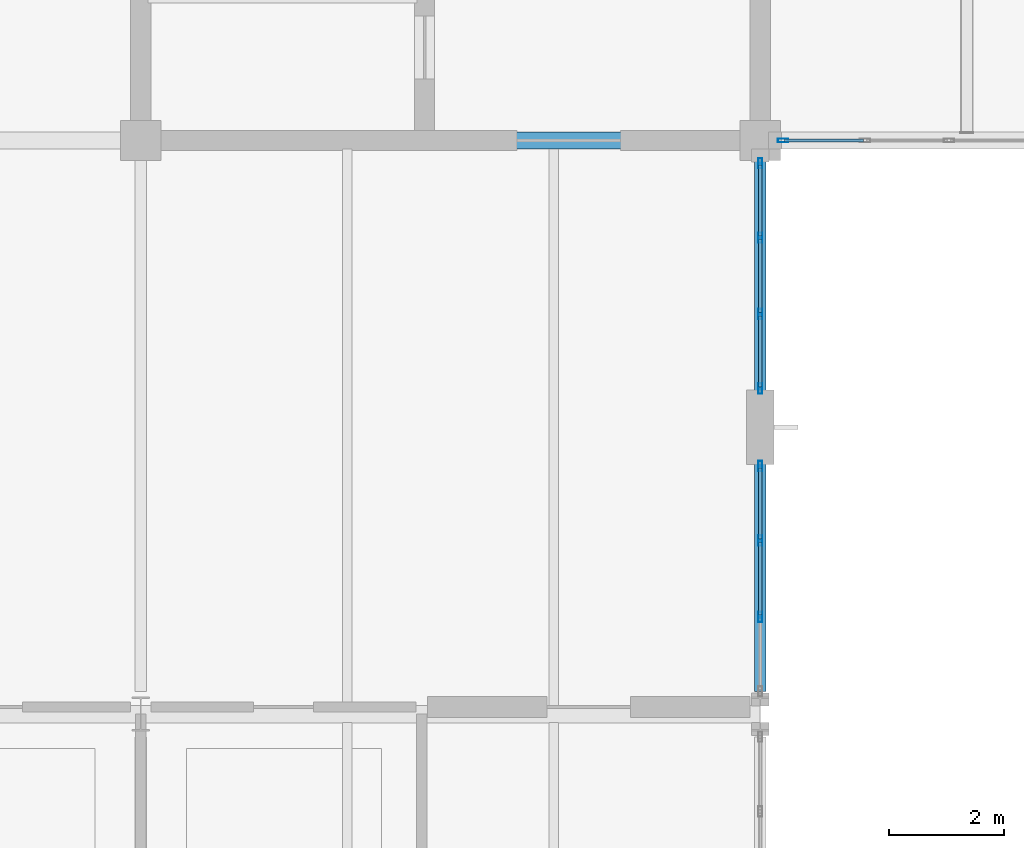
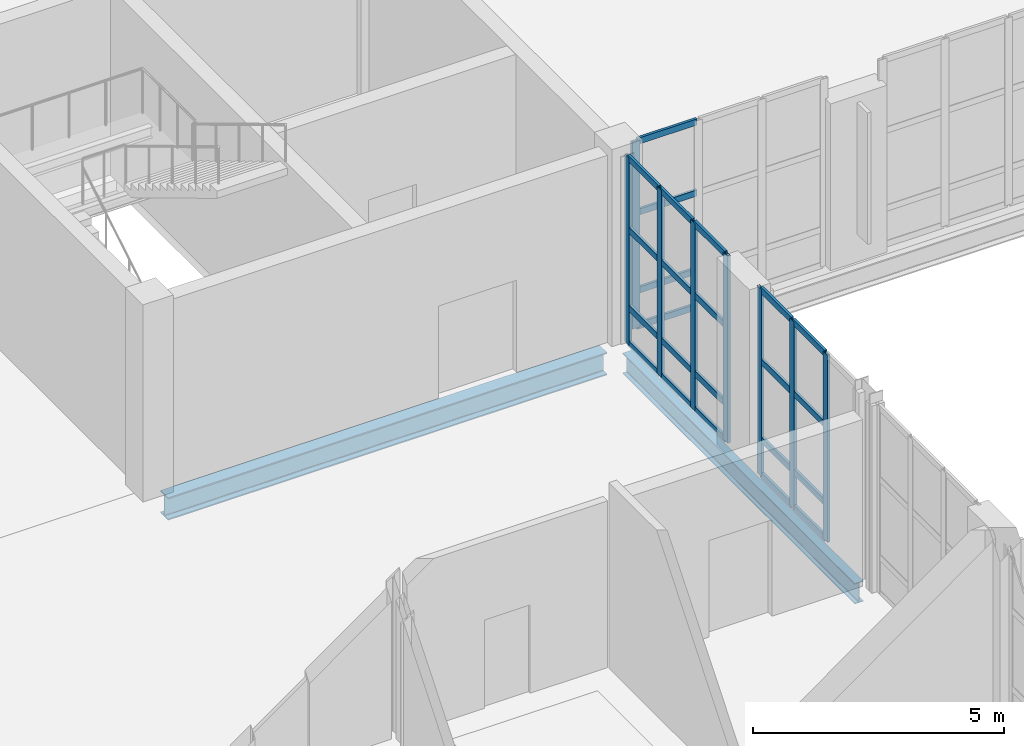
# One storey, part 24 of 92: 32 members, 2 beams, 3 elements without a shape of their own.
"""IFC4 building model written with IfcOpenShell, lengths in metres."""

import ifcopenshell
import ifcopenshell.guid

model = None  # the IFC model being written
_history = None  # IfcOwnerHistory: only IFC2X3 demands one
_inside = {}  # id of a spatial element -> (the spatial element, [elements in it])
_under = {}  # id of a project, library or spatial element -> (it, [spatial elements below it])
_declared = {}  # id of a project -> (the project, [libraries it declares])
_typed = {}  # id of a type object -> (the type object, [elements of that type])
_made_of = {}  # id of a material, layer set ... -> (it, [elements and type objects made of it])


def new_model(schema):
    """Start an empty IFC model of exactly this schema.

    Asked for "IFC4X3", IfcOpenShell would pick the latest addendum, in which some entities
    have other attributes; the version numbers below select the first issue.
    IFC2X3 requires an IfcOwnerHistory on every rooted entity: one is made here for all.
    """
    global model, _history
    if schema == "IFC4X3":
        model = ifcopenshell.file(schema_version=(4, 3, 0, 0))
    else:
        model = ifcopenshell.file(schema=schema)
    _inside.clear()
    _under.clear()
    _declared.clear()
    _typed.clear()
    _made_of.clear()
    _history = None
    if model.schema == "IFC2X3":
        org = make("IfcOrganization", Name="unknown")
        user = make(
            "IfcPersonAndOrganization",
            ThePerson=make("IfcPerson", FamilyName="unknown"),
            TheOrganization=org,
        )
        app = make(
            "IfcApplication",
            ApplicationDeveloper=org,
            Version="unknown",
            ApplicationFullName="unknown",
            ApplicationIdentifier="unknown",
        )
        _history = make(
            "IfcOwnerHistory",
            OwningUser=user,
            OwningApplication=app,
            ChangeAction="ADDED",
            CreationDate=0,
        )
    return model


def make(cls, **values):
    """One entity of the class cls with the attributes given. An attribute that is None is left unset."""
    return model.create_entity(
        cls, **{name: value for name, value in values.items() if value is not None}
    )


def rooted(cls, **values):
    """An entity with a GlobalId (a new one), such as an element, a storey or a relation."""
    return make(cls, GlobalId=ifcopenshell.guid.new(), OwnerHistory=_history, **values)


def si_unit(unit_type, name, prefix=None):
    """IfcSIUnit, for example si_unit("LENGTHUNIT", "METRE", prefix="MILLI")."""
    return make("IfcSIUnit", UnitType=unit_type, Prefix=prefix, Name=name)


def assignment(units):
    """IfcUnitAssignment: the units of a project."""
    return None if units is None else make("IfcUnitAssignment", Units=units)


def point(xyz):
    """IfcCartesianPoint."""
    return None if xyz is None else make("IfcCartesianPoint", Coordinates=xyz)


def direction(xyz):
    """IfcDirection."""
    return None if xyz is None else make("IfcDirection", DirectionRatios=xyz)


def frame(location, z_axis=None, x_axis=None):
    """IfcAxis2Placement3D, a coordinate frame: its origin and axes. An axis left out is left unset."""
    return make(
        "IfcAxis2Placement3D",
        Location=point(location),
        Axis=direction(z_axis),
        RefDirection=direction(x_axis),
    )


def frame_2d(location, x_axis=None):
    """IfcAxis2Placement2D, a coordinate frame in the plane: its origin and x axis."""
    return make(
        "IfcAxis2Placement2D", Location=point(location), RefDirection=direction(x_axis)
    )


def origin():
    """The frame at (0, 0, 0) with its axes left unset."""
    return frame((0.0, 0.0, 0.0))


def origin_2d():
    """The frame at (0, 0) in the plane with its x axis left unset."""
    return frame_2d((0.0, 0.0))


def place(relative_to, where):
    """IfcLocalPlacement: puts the frame where relative to a parent placement (None: the world)."""
    return make(
        "IfcLocalPlacement", PlacementRelTo=relative_to, RelativePlacement=where
    )


def context(
    kind, dimensions, precision=None, world=None, true_north=None, identifier=None
):
    """IfcGeometricRepresentationContext, for example the 3D "Model" context."""
    return make(
        "IfcGeometricRepresentationContext",
        ContextIdentifier=identifier,
        ContextType=kind,
        CoordinateSpaceDimension=dimensions,
        Precision=precision,
        WorldCoordinateSystem=world,
        TrueNorth=true_north,
    )


def subcontext(parent, identifier, kind, view, scale=None):
    """IfcGeometricRepresentationSubContext, for example "Body" below "Model"."""
    return make(
        "IfcGeometricRepresentationSubContext",
        ContextIdentifier=identifier,
        ContextType=kind,
        ParentContext=parent,
        TargetScale=scale,
        TargetView=view,
    )


def project(units=None, contexts=None):
    """IfcProject with its units and contexts."""
    return rooted(
        "IfcProject",
        Name="project",
        RepresentationContexts=contexts,
        UnitsInContext=assignment(units),
    )


def spatial(cls, under=None, at=None, **own):
    """A site, building, storey or space (cls), placed at a placement, below another one or the project."""
    s = rooted(cls, ObjectPlacement=at, **own)
    if under is not None:
        _under.setdefault(under.id(), (under, []))[1].append(s)
    return s


def profile(cls, at=None, kind="AREA", **sizes):
    """A parametric profile (cls). Its sizes go by their IFC names, for example OverallWidth=200.0."""
    return make(cls, ProfileType=kind, Position=at, **sizes)


def hollow_rectangle(**sizes):
    """IfcRectangleHollowProfileDef."""
    return profile("IfcRectangleHollowProfileDef", **sizes)


def i_section(**sizes):
    """IfcIShapeProfileDef."""
    return profile("IfcIShapeProfileDef", **sizes)


def extrude(swept, where, along, depth):
    """IfcExtrudedAreaSolid: the profile swept, set in the frame where, extruded along a direction by depth."""
    return make(
        "IfcExtrudedAreaSolid",
        SweptArea=swept,
        Position=where,
        ExtrudedDirection=direction(along),
        Depth=depth,
    )


def shape(context_of_items, identifier, shape_type, items):
    """IfcShapeRepresentation: the items that make up one representation, for example the "Body"."""
    return make(
        "IfcShapeRepresentation",
        ContextOfItems=context_of_items,
        RepresentationIdentifier=identifier,
        RepresentationType=shape_type,
        Items=items,
    )


def material(Name=None, Category=None):
    """IfcMaterial."""
    return make("IfcMaterial", Name=Name, Category=Category)


def layer(
    of_material, thickness, ventilated=None, Name=None, Category=None, Priority=None
):
    """IfcMaterialLayer: one layer of a wall or slab, of a material (None: an air gap)."""
    return make(
        "IfcMaterialLayer",
        Material=of_material,
        LayerThickness=thickness,
        IsVentilated=ventilated,
        Name=Name,
        Category=Category,
        Priority=Priority,
    )


def layer_set(layers, Name=None):
    """IfcMaterialLayerSet."""
    return make("IfcMaterialLayerSet", MaterialLayers=layers, LayerSetName=Name)


def material_profile(
    of_material, cross_section, Name=None, Category=None, Priority=None
):
    """IfcMaterialProfile: a cross section and its material."""
    return make(
        "IfcMaterialProfile",
        Name=Name,
        Material=of_material,
        Profile=cross_section,
        Priority=Priority,
        Category=Category,
    )


def profile_set(profiles, Name=None, composite=None):
    """IfcMaterialProfileSet."""
    return make(
        "IfcMaterialProfileSet",
        Name=Name,
        MaterialProfiles=profiles,
        CompositeProfile=composite,
    )


def made_of(thing, what):
    """Note that an element or type object is made of a material, layer set ...; save() writes the relation."""
    if what is not None:
        _made_of.setdefault(what.id(), (what, []))[1].append(thing)
    return thing


def type_object(cls, material=None, **own):
    """A type object (cls), such as IfcWallType, which elements share."""
    return made_of(rooted(cls, **own), material)


def element(
    cls,
    number,
    at=None,
    inside=None,
    cuts=None,
    type_object=None,
    material=None,
    context=None,
    identifier="Body",
    shape_type=None,
    held_by="IfcProductDefinitionShape",
    body=None,
    shapes=None,
    **own,
):
    """One element of the class cls, such as IfcWall. Its Tag is "e" and its number.

    at: its placement. inside: the storey or other place that contains it. cuts: it is an
    opening in that element (IfcRelVoidsElement). A single representation is given by context,
    identifier, shape_type and body (its items); several are given by shapes. held_by: the class
    of the entity that holds the representations. save() writes the other relations.
    """
    e = rooted(cls, Tag="e%d" % number, ObjectPlacement=at, **own)
    if body is not None:
        shapes = [shape(context, identifier, shape_type, body)]
    if shapes is not None:
        e.Representation = make(held_by, Representations=shapes)
    if inside is not None:
        _inside.setdefault(inside.id(), (inside, []))[1].append(e)
    if cuts is not None:
        rooted(
            "IfcRelVoidsElement", RelatingBuildingElement=cuts, RelatedOpeningElement=e
        )
    if type_object is not None:
        _typed.setdefault(type_object.id(), (type_object, []))[1].append(e)
    return made_of(e, material)


def aggregate(whole, parts):
    """IfcRelAggregates: a whole, such as a stair, and the parts it consists of."""
    return rooted("IfcRelAggregates", RelatingObject=whole, RelatedObjects=parts)


def save(model, path):
    """Write the relations noted so far, then the file.

    IfcRelAggregates (storeys below a building ...), IfcRelContainedInSpatialStructure (elements
    in a storey), IfcRelDefinesByType, IfcRelAssociatesMaterial and IfcRelDeclares: one each for
    every whole, place, type object, material and project.
    """
    for whole, parts in _under.values():
        aggregate(whole, parts)
    for where, things in _inside.values():
        rooted(
            "IfcRelContainedInSpatialStructure",
            RelatedElements=things,
            RelatingStructure=where,
        )
    for kind, things in _typed.values():
        rooted("IfcRelDefinesByType", RelatedObjects=things, RelatingType=kind)
    for what, things in _made_of.values():
        rooted("IfcRelAssociatesMaterial", RelatedObjects=things, RelatingMaterial=what)
    for by, libraries in _declared.values():
        rooted("IfcRelDeclares", RelatingContext=by, RelatedDefinitions=libraries)
    model.write(path)


model = new_model("IFC4")

# Units and contexts
model_context = context("Model", 3, precision=1e-05, world=origin(), true_north=direction((0.0, 1.0)))
body_context = subcontext(model_context, "Body", "Model", "MODEL_VIEW")
ifc_project = project(units=[si_unit("LENGTHUNIT", "METRE"), si_unit("AREAUNIT", "SQUARE_METRE"), si_unit("VOLUMEUNIT", "CUBIC_METRE"), si_unit("PLANEANGLEUNIT", "RADIAN"), si_unit("MASSUNIT", "GRAM", prefix="KILO")], contexts=[model_context])

# Site, building, storey
site_placement = place(None, origin())
site = spatial("IfcSite", under=ifc_project, at=site_placement, CompositionType="ELEMENT")
building_placement = place(site_placement, origin())
building = spatial("IfcBuilding", under=site, at=building_placement, Name="Tasgan Crest Museum", CompositionType="ELEMENT")
storey_placement = place(building_placement, frame((0.0, 0.0, 4.800048828125)))
storey = spatial("IfcBuildingStorey", under=building, at=storey_placement, Name="L01", CompositionType="ELEMENT", Elevation=4.800048828125)

# Beams
ifc_material_1 = material(Name="Steel S355K2", Category="steel")
ifc_material_profile_1 = material_profile(ifc_material_1, i_section(OverallWidth=0.300048828125, OverallDepth=0.550048828125, WebThickness=0.014892578125, FlangeThickness=0.029052734375, FilletRadius=0.027099609375, at=origin_2d()), Name="HEB 550")
ifc_profile_set_1 = profile_set([ifc_material_profile_1], Name="Steel S355K2")
beam_type_1 = type_object("IfcBeamType", Name="BM-G-HEB550", PredefinedType="BEAM", material=ifc_profile_set_1)
beam_1_placement = place(storey_placement, frame((43.5458984375, 40.0, -0.53515625), z_axis=(1.0, 0.0, 0.0), x_axis=(0.0, 1.0, 0.0)))
element("IfcBeam", 1, at=beam_1_placement, inside=storey, type_object=beam_type_1, Name="Girder L01 E 43.2-54.0", PredefinedType="BEAM", context=body_context, shape_type="SweptSolid", body=[
    extrude(i_section(OverallWidth=0.300048828125, OverallDepth=0.550048828125, WebThickness=0.014892578125, FlangeThickness=0.029052734375, FilletRadius=0.027099609375, at=origin_2d()), origin(), (0.0, 0.0, 1.0), 10.108154296875),
])
ifc_material_2 = material(Name="Steel S355J2", Category="steel")
ifc_material_profile_2 = material_profile(ifc_material_2, i_section(OverallWidth=0.199951171875, OverallDepth=0.5, WebThickness=0.01025390625, FlangeThickness=0.01611328125, FilletRadius=0.02099609375, at=origin_2d()), Name="IPE 500")
ifc_profile_set_2 = profile_set([ifc_material_profile_2], Name="Steel S355J2")
beam_type_2 = type_object("IfcBeamType", Name="BM-G-IPE500", PredefinedType="BEAM", material=ifc_profile_set_2)
beam_2_placement = place(storey_placement, frame((54.0, 30.39501953125, -0.489990234375), z_axis=(0.0, 1.0, 0.0), x_axis=(-1.0, 0.0, 0.0)))
element("IfcBeam", 2, at=beam_2_placement, inside=storey, type_object=beam_type_2, Name="Beam L01 6 30.0-40.0", PredefinedType="BEAM", context=body_context, shape_type="SweptSolid", body=[
    extrude(i_section(OverallWidth=0.199951171875, OverallDepth=0.5, WebThickness=0.01025390625, FlangeThickness=0.01611328125, FilletRadius=0.02099609375, at=origin_2d()), origin(), (0.0, 0.0, 1.0), 9.260009765625),
])

# Curtain wall, members
ifc_material_3 = material(Name="Triple-Glazed Aluminium Curtain Wall", Category="aluminium")
ifc_layer_1 = layer(ifc_material_3, 0.179931640625, Name="CW-PORCH-Y")
ifc_layer_set_1 = layer_set([ifc_layer_1], Name="Triple-Glazed Aluminium Curtain Wall")
curtain_wall_type_1 = type_object("IfcCurtainWallType", Name="CW-PORCH-Y", PredefinedType="NOTDEFINED", material=ifc_layer_set_1)
curtain_wall_1_placement = place(storey_placement, origin())
curtain_wall_1 = element("IfcCurtainWall", 3, at=curtain_wall_1_placement, inside=storey, type_object=curtain_wall_type_1, Name="Curtain wall L01 025", PredefinedType="NOTDEFINED")
ifc_material_4 = material(Name="Anodised Aluminium", Category="aluminium")
ifc_material_profile_3 = material_profile(ifc_material_4, hollow_rectangle(XDim=0.06494140625, YDim=0.179931640625, WallThickness=0.0048828125, at=origin_2d()), Name="ALU MULLION 180x65x5")
ifc_profile_set_3 = profile_set([ifc_material_profile_3], Name="Anodised Aluminium")
member_type_1 = type_object("IfcMemberType", Name="CW-MULLION-180", PredefinedType="MULLION", material=ifc_profile_set_3)
member_1_placement = place(storey_placement, frame((54.0, 31.695068359375, 0.0), z_axis=(0.0, 0.0, 1.0), x_axis=(-1.0, 0.0, 0.0)))
member_1 = element("IfcMember", 4, at=member_1_placement, type_object=member_type_1, Name="CW02 mullion 2", PredefinedType="MULLION", context=body_context, shape_type="SweptSolid", body=[
    extrude(hollow_rectangle(XDim=0.06494140625, YDim=0.179931640625, WallThickness=0.0048828125, at=origin_2d()), origin(), (0.0, 0.0, 1.0), 4.56005859375),
])
member_2_placement = place(storey_placement, frame((54.0, 33.02490234375, 0.0), z_axis=(0.0, 0.0, 1.0), x_axis=(-1.0, 0.0, 0.0)))
member_2 = element("IfcMember", 5, at=member_2_placement, type_object=member_type_1, Name="CW02 mullion 3", PredefinedType="MULLION", context=body_context, shape_type="SweptSolid", body=[
    extrude(hollow_rectangle(XDim=0.06494140625, YDim=0.179931640625, WallThickness=0.0048828125, at=origin_2d()), origin(), (0.0, 0.0, 1.0), 4.56005859375),
])
member_3_placement = place(storey_placement, frame((54.0, 34.324951171875, 0.0), z_axis=(0.0, 0.0, 1.0), x_axis=(-1.0, 0.0, 0.0)))
member_3 = element("IfcMember", 6, at=member_3_placement, type_object=member_type_1, Name="CW02 mullion 4", PredefinedType="MULLION", context=body_context, shape_type="SweptSolid", body=[
    extrude(hollow_rectangle(XDim=0.06494140625, YDim=0.179931640625, WallThickness=0.0048828125, at=origin_2d()), origin(), (0.0, 0.0, 1.0), 4.56005859375),
])

curtain_wall_2_placement = place(storey_placement, origin())
curtain_wall_2 = element("IfcCurtainWall", 7, at=curtain_wall_2_placement, inside=storey, type_object=curtain_wall_type_1, Name="Curtain wall L01 026", PredefinedType="NOTDEFINED")
member_4_placement = place(storey_placement, frame((54.0, 35.675048828125, 0.0), z_axis=(0.0, 0.0, 1.0), x_axis=(-1.0, 0.0, 0.0)))
member_4 = element("IfcMember", 8, at=member_4_placement, type_object=member_type_1, Name="CW02 mullion 1", PredefinedType="MULLION", context=body_context, shape_type="SweptSolid", body=[
    extrude(hollow_rectangle(XDim=0.06494140625, YDim=0.179931640625, WallThickness=0.0048828125, at=origin_2d()), origin(), (0.0, 0.0, 1.0), 4.56005859375),
])
member_5_placement = place(storey_placement, frame((54.0, 36.97509765625, 0.0), z_axis=(0.0, 0.0, 1.0), x_axis=(-1.0, 0.0, 0.0)))
member_5 = element("IfcMember", 9, at=member_5_placement, type_object=member_type_1, Name="CW02 mullion 2", PredefinedType="MULLION", context=body_context, shape_type="SweptSolid", body=[
    extrude(hollow_rectangle(XDim=0.06494140625, YDim=0.179931640625, WallThickness=0.0048828125, at=origin_2d()), origin(), (0.0, 0.0, 1.0), 4.56005859375),
])
member_6_placement = place(storey_placement, frame((54.0, 38.304931640625, 0.0), z_axis=(0.0, 0.0, 1.0), x_axis=(-1.0, 0.0, 0.0)))
member_6 = element("IfcMember", 10, at=member_6_placement, type_object=member_type_1, Name="CW02 mullion 3", PredefinedType="MULLION", context=body_context, shape_type="SweptSolid", body=[
    extrude(hollow_rectangle(XDim=0.06494140625, YDim=0.179931640625, WallThickness=0.0048828125, at=origin_2d()), origin(), (0.0, 0.0, 1.0), 4.56005859375),
])
member_7_placement = place(storey_placement, frame((54.0, 39.60498046875, 0.0), z_axis=(0.0, 0.0, 1.0), x_axis=(-1.0, 0.0, 0.0)))
member_7 = element("IfcMember", 11, at=member_7_placement, type_object=member_type_1, Name="CW02 mullion 4", PredefinedType="MULLION", context=body_context, shape_type="SweptSolid", body=[
    extrude(hollow_rectangle(XDim=0.06494140625, YDim=0.179931640625, WallThickness=0.0048828125, at=origin_2d()), origin(), (0.0, 0.0, 1.0), 4.56005859375),
])

# Curtain wall, member
ifc_material_5 = material(Name="Triple-Glazed Aluminium Curtain Wall", Category="aluminium")
ifc_layer_2 = layer(ifc_material_5, 0.179931640625, Name="CW-DRUM-X-48")
ifc_layer_set_2 = layer_set([ifc_layer_2], Name="Triple-Glazed Aluminium Curtain Wall")
curtain_wall_type_2 = type_object("IfcCurtainWallType", Name="CW-DRUM-X-48", PredefinedType="NOTDEFINED", material=ifc_layer_set_2)
curtain_wall_3_placement = place(storey_placement, origin())
curtain_wall_3 = element("IfcCurtainWall", 12, at=curtain_wall_3_placement, inside=storey, type_object=curtain_wall_type_2, Name="Curtain wall L01 027", PredefinedType="NOTDEFINED")
member_8_placement = place(storey_placement, frame((54.39501953125, 40.0, 0.0), z_axis=(0.0, 0.0, 1.0), x_axis=(0.0, 1.0, 0.0)))
member_8 = element("IfcMember", 13, at=member_8_placement, type_object=member_type_1, Name="CW03 mullion 1", PredefinedType="MULLION", context=body_context, shape_type="SweptSolid", body=[
    extrude(hollow_rectangle(XDim=0.06494140625, YDim=0.179931640625, WallThickness=0.0048828125, at=origin_2d()), origin(), (0.0, 0.0, 1.0), 4.56005859375),
])

# Member
ifc_material_6 = material(Name="Anodised Aluminium", Category="aluminium")
ifc_material_profile_4 = material_profile(ifc_material_6, hollow_rectangle(XDim=0.06005859375, YDim=0.14990234375, WallThickness=0.0048828125, at=origin_2d()), Name="ALU TRANSOM 150x60x5")
ifc_profile_set_4 = profile_set([ifc_material_profile_4], Name="Anodised Aluminium")
member_type_2 = type_object("IfcMemberType", Name="CW-TRANSOM-150", PredefinedType="USERDEFINED", material=ifc_profile_set_4)
member_9_placement = place(storey_placement, frame((54.0, 31.72509765625, 0.030029296875), z_axis=(0.0, 1.0, 0.0), x_axis=(-1.0, 0.0, 0.0)))
member_9 = element("IfcMember", 14, at=member_9_placement, type_object=member_type_2, Name="CW02 transom 2.1", ObjectType="TRANSOM", PredefinedType="USERDEFINED", context=body_context, shape_type="SweptSolid", body=[
    extrude(hollow_rectangle(XDim=0.06005859375, YDim=0.14990234375, WallThickness=0.0048828125, at=origin_2d()), origin(), (0.0, 0.0, 1.0), 1.27001953125),
])

member_10_placement = place(storey_placement, frame((54.0, 31.72509765625, 0.89990234375), z_axis=(0.0, 1.0, 0.0), x_axis=(-1.0, 0.0, 0.0)))
member_10 = element("IfcMember", 15, at=member_10_placement, type_object=member_type_2, Name="CW02 transom 2.2", ObjectType="TRANSOM", PredefinedType="USERDEFINED", context=body_context, shape_type="SweptSolid", body=[
    extrude(hollow_rectangle(XDim=0.06005859375, YDim=0.14990234375, WallThickness=0.0048828125, at=origin_2d()), origin(), (0.0, 0.0, 1.0), 1.27001953125),
])

member_11_placement = place(storey_placement, frame((54.0, 31.72509765625, 2.800048828125), z_axis=(0.0, 1.0, 0.0), x_axis=(-1.0, 0.0, 0.0)))
member_11 = element("IfcMember", 16, at=member_11_placement, type_object=member_type_2, Name="CW02 transom 2.3", ObjectType="TRANSOM", PredefinedType="USERDEFINED", context=body_context, shape_type="SweptSolid", body=[
    extrude(hollow_rectangle(XDim=0.06005859375, YDim=0.14990234375, WallThickness=0.0048828125, at=origin_2d()), origin(), (0.0, 0.0, 1.0), 1.27001953125),
])

member_12_placement = place(storey_placement, frame((54.0, 31.72509765625, 4.530029296875), z_axis=(0.0, 1.0, 0.0), x_axis=(-1.0, 0.0, 0.0)))
member_12 = element("IfcMember", 17, at=member_12_placement, type_object=member_type_2, Name="CW02 transom 2.4", ObjectType="TRANSOM", PredefinedType="USERDEFINED", context=body_context, shape_type="SweptSolid", body=[
    extrude(hollow_rectangle(XDim=0.06005859375, YDim=0.14990234375, WallThickness=0.0048828125, at=origin_2d()), origin(), (0.0, 0.0, 1.0), 1.27001953125),
])

member_13_placement = place(storey_placement, frame((54.0, 33.054931640625, 0.030029296875), z_axis=(0.0, 1.0, 0.0), x_axis=(-1.0, 0.0, 0.0)))
member_13 = element("IfcMember", 18, at=member_13_placement, type_object=member_type_2, Name="CW02 transom 3.1", ObjectType="TRANSOM", PredefinedType="USERDEFINED", context=body_context, shape_type="SweptSolid", body=[
    extrude(hollow_rectangle(XDim=0.06005859375, YDim=0.14990234375, WallThickness=0.0048828125, at=origin_2d()), origin(), (0.0, 0.0, 1.0), 1.239990234375),
])

member_14_placement = place(storey_placement, frame((54.0, 33.054931640625, 0.89990234375), z_axis=(0.0, 1.0, 0.0), x_axis=(-1.0, 0.0, 0.0)))
member_14 = element("IfcMember", 19, at=member_14_placement, type_object=member_type_2, Name="CW02 transom 3.2", ObjectType="TRANSOM", PredefinedType="USERDEFINED", context=body_context, shape_type="SweptSolid", body=[
    extrude(hollow_rectangle(XDim=0.06005859375, YDim=0.14990234375, WallThickness=0.0048828125, at=origin_2d()), origin(), (0.0, 0.0, 1.0), 1.239990234375),
])

member_15_placement = place(storey_placement, frame((54.0, 33.054931640625, 2.800048828125), z_axis=(0.0, 1.0, 0.0), x_axis=(-1.0, 0.0, 0.0)))
member_15 = element("IfcMember", 20, at=member_15_placement, type_object=member_type_2, Name="CW02 transom 3.3", ObjectType="TRANSOM", PredefinedType="USERDEFINED", context=body_context, shape_type="SweptSolid", body=[
    extrude(hollow_rectangle(XDim=0.06005859375, YDim=0.14990234375, WallThickness=0.0048828125, at=origin_2d()), origin(), (0.0, 0.0, 1.0), 1.239990234375),
])

member_16_placement = place(storey_placement, frame((54.0, 33.054931640625, 4.530029296875), z_axis=(0.0, 1.0, 0.0), x_axis=(-1.0, 0.0, 0.0)))
member_16 = element("IfcMember", 21, at=member_16_placement, type_object=member_type_2, Name="CW02 transom 3.4", ObjectType="TRANSOM", PredefinedType="USERDEFINED", context=body_context, shape_type="SweptSolid", body=[
    extrude(hollow_rectangle(XDim=0.06005859375, YDim=0.14990234375, WallThickness=0.0048828125, at=origin_2d()), origin(), (0.0, 0.0, 1.0), 1.239990234375),
])

aggregate(curtain_wall_1, [member_1, member_2, member_3, member_9, member_10, member_11, member_12, member_13, member_14, member_15, member_16])

member_17_placement = place(storey_placement, frame((54.0, 35.705078125, 0.030029296875), z_axis=(0.0, 1.0, 0.0), x_axis=(-1.0, 0.0, 0.0)))
member_17 = element("IfcMember", 22, at=member_17_placement, type_object=member_type_2, Name="CW02 transom 1.1", ObjectType="TRANSOM", PredefinedType="USERDEFINED", context=body_context, shape_type="SweptSolid", body=[
    extrude(hollow_rectangle(XDim=0.06005859375, YDim=0.14990234375, WallThickness=0.0048828125, at=origin_2d()), origin(), (0.0, 0.0, 1.0), 1.239990234375),
])

member_18_placement = place(storey_placement, frame((54.0, 35.705078125, 0.89990234375), z_axis=(0.0, 1.0, 0.0), x_axis=(-1.0, 0.0, 0.0)))
member_18 = element("IfcMember", 23, at=member_18_placement, type_object=member_type_2, Name="CW02 transom 1.2", ObjectType="TRANSOM", PredefinedType="USERDEFINED", context=body_context, shape_type="SweptSolid", body=[
    extrude(hollow_rectangle(XDim=0.06005859375, YDim=0.14990234375, WallThickness=0.0048828125, at=origin_2d()), origin(), (0.0, 0.0, 1.0), 1.239990234375),
])

member_19_placement = place(storey_placement, frame((54.0, 35.705078125, 2.800048828125), z_axis=(0.0, 1.0, 0.0), x_axis=(-1.0, 0.0, 0.0)))
member_19 = element("IfcMember", 24, at=member_19_placement, type_object=member_type_2, Name="CW02 transom 1.3", ObjectType="TRANSOM", PredefinedType="USERDEFINED", context=body_context, shape_type="SweptSolid", body=[
    extrude(hollow_rectangle(XDim=0.06005859375, YDim=0.14990234375, WallThickness=0.0048828125, at=origin_2d()), origin(), (0.0, 0.0, 1.0), 1.239990234375),
])

member_20_placement = place(storey_placement, frame((54.0, 35.705078125, 4.530029296875), z_axis=(0.0, 1.0, 0.0), x_axis=(-1.0, 0.0, 0.0)))
member_20 = element("IfcMember", 25, at=member_20_placement, type_object=member_type_2, Name="CW02 transom 1.4", ObjectType="TRANSOM", PredefinedType="USERDEFINED", context=body_context, shape_type="SweptSolid", body=[
    extrude(hollow_rectangle(XDim=0.06005859375, YDim=0.14990234375, WallThickness=0.0048828125, at=origin_2d()), origin(), (0.0, 0.0, 1.0), 1.239990234375),
])

member_21_placement = place(storey_placement, frame((54.0, 37.0048828125, 0.030029296875), z_axis=(0.0, 1.0, 0.0), x_axis=(-1.0, 0.0, 0.0)))
member_21 = element("IfcMember", 26, at=member_21_placement, type_object=member_type_2, Name="CW02 transom 2.1", ObjectType="TRANSOM", PredefinedType="USERDEFINED", context=body_context, shape_type="SweptSolid", body=[
    extrude(hollow_rectangle(XDim=0.06005859375, YDim=0.14990234375, WallThickness=0.0048828125, at=origin_2d()), origin(), (0.0, 0.0, 1.0), 1.27001953125),
])

member_22_placement = place(storey_placement, frame((54.0, 37.0048828125, 0.89990234375), z_axis=(0.0, 1.0, 0.0), x_axis=(-1.0, 0.0, 0.0)))
member_22 = element("IfcMember", 27, at=member_22_placement, type_object=member_type_2, Name="CW02 transom 2.2", ObjectType="TRANSOM", PredefinedType="USERDEFINED", context=body_context, shape_type="SweptSolid", body=[
    extrude(hollow_rectangle(XDim=0.06005859375, YDim=0.14990234375, WallThickness=0.0048828125, at=origin_2d()), origin(), (0.0, 0.0, 1.0), 1.27001953125),
])

member_23_placement = place(storey_placement, frame((54.0, 37.0048828125, 2.800048828125), z_axis=(0.0, 1.0, 0.0), x_axis=(-1.0, 0.0, 0.0)))
member_23 = element("IfcMember", 28, at=member_23_placement, type_object=member_type_2, Name="CW02 transom 2.3", ObjectType="TRANSOM", PredefinedType="USERDEFINED", context=body_context, shape_type="SweptSolid", body=[
    extrude(hollow_rectangle(XDim=0.06005859375, YDim=0.14990234375, WallThickness=0.0048828125, at=origin_2d()), origin(), (0.0, 0.0, 1.0), 1.27001953125),
])

member_24_placement = place(storey_placement, frame((54.0, 37.0048828125, 4.530029296875), z_axis=(0.0, 1.0, 0.0), x_axis=(-1.0, 0.0, 0.0)))
member_24 = element("IfcMember", 29, at=member_24_placement, type_object=member_type_2, Name="CW02 transom 2.4", ObjectType="TRANSOM", PredefinedType="USERDEFINED", context=body_context, shape_type="SweptSolid", body=[
    extrude(hollow_rectangle(XDim=0.06005859375, YDim=0.14990234375, WallThickness=0.0048828125, at=origin_2d()), origin(), (0.0, 0.0, 1.0), 1.27001953125),
])

member_25_placement = place(storey_placement, frame((54.0, 38.3349609375, 0.030029296875), z_axis=(0.0, 1.0, 0.0), x_axis=(-1.0, 0.0, 0.0)))
member_25 = element("IfcMember", 30, at=member_25_placement, type_object=member_type_2, Name="CW02 transom 3.1", ObjectType="TRANSOM", PredefinedType="USERDEFINED", context=body_context, shape_type="SweptSolid", body=[
    extrude(hollow_rectangle(XDim=0.06005859375, YDim=0.14990234375, WallThickness=0.0048828125, at=origin_2d()), origin(), (0.0, 0.0, 1.0), 1.239990234375),
])

member_26_placement = place(storey_placement, frame((54.0, 38.3349609375, 0.89990234375), z_axis=(0.0, 1.0, 0.0), x_axis=(-1.0, 0.0, 0.0)))
member_26 = element("IfcMember", 31, at=member_26_placement, type_object=member_type_2, Name="CW02 transom 3.2", ObjectType="TRANSOM", PredefinedType="USERDEFINED", context=body_context, shape_type="SweptSolid", body=[
    extrude(hollow_rectangle(XDim=0.06005859375, YDim=0.14990234375, WallThickness=0.0048828125, at=origin_2d()), origin(), (0.0, 0.0, 1.0), 1.239990234375),
])

member_27_placement = place(storey_placement, frame((54.0, 38.3349609375, 2.800048828125), z_axis=(0.0, 1.0, 0.0), x_axis=(-1.0, 0.0, 0.0)))
member_27 = element("IfcMember", 32, at=member_27_placement, type_object=member_type_2, Name="CW02 transom 3.3", ObjectType="TRANSOM", PredefinedType="USERDEFINED", context=body_context, shape_type="SweptSolid", body=[
    extrude(hollow_rectangle(XDim=0.06005859375, YDim=0.14990234375, WallThickness=0.0048828125, at=origin_2d()), origin(), (0.0, 0.0, 1.0), 1.239990234375),
])

member_28_placement = place(storey_placement, frame((54.0, 38.3349609375, 4.530029296875), z_axis=(0.0, 1.0, 0.0), x_axis=(-1.0, 0.0, 0.0)))
member_28 = element("IfcMember", 33, at=member_28_placement, type_object=member_type_2, Name="CW02 transom 3.4", ObjectType="TRANSOM", PredefinedType="USERDEFINED", context=body_context, shape_type="SweptSolid", body=[
    extrude(hollow_rectangle(XDim=0.06005859375, YDim=0.14990234375, WallThickness=0.0048828125, at=origin_2d()), origin(), (0.0, 0.0, 1.0), 1.239990234375),
])

aggregate(curtain_wall_2, [member_4, member_5, member_6, member_7, member_17, member_18, member_19, member_20, member_21, member_22, member_23, member_24, member_25, member_26, member_27, member_28])

member_29_placement = place(storey_placement, frame((54.425048828125, 40.0, 0.030029296875), z_axis=(1.0, 0.0, 0.0), x_axis=(0.0, 1.0, 0.0)))
member_29 = element("IfcMember", 34, at=member_29_placement, type_object=member_type_2, Name="CW03 transom 1.1", ObjectType="TRANSOM", PredefinedType="USERDEFINED", context=body_context, shape_type="SweptSolid", body=[
    extrude(hollow_rectangle(XDim=0.06005859375, YDim=0.14990234375, WallThickness=0.0048828125, at=origin_2d()), origin(), (0.0, 0.0, 1.0), 1.373291015625),
])

member_30_placement = place(storey_placement, frame((54.425048828125, 40.0, 0.89990234375), z_axis=(1.0, 0.0, 0.0), x_axis=(0.0, 1.0, 0.0)))
member_30 = element("IfcMember", 35, at=member_30_placement, type_object=member_type_2, Name="CW03 transom 1.2", ObjectType="TRANSOM", PredefinedType="USERDEFINED", context=body_context, shape_type="SweptSolid", body=[
    extrude(hollow_rectangle(XDim=0.06005859375, YDim=0.14990234375, WallThickness=0.0048828125, at=origin_2d()), origin(), (0.0, 0.0, 1.0), 1.373291015625),
])

member_31_placement = place(storey_placement, frame((54.425048828125, 40.0, 2.800048828125), z_axis=(1.0, 0.0, 0.0), x_axis=(0.0, 1.0, 0.0)))
member_31 = element("IfcMember", 36, at=member_31_placement, type_object=member_type_2, Name="CW03 transom 1.3", ObjectType="TRANSOM", PredefinedType="USERDEFINED", context=body_context, shape_type="SweptSolid", body=[
    extrude(hollow_rectangle(XDim=0.06005859375, YDim=0.14990234375, WallThickness=0.0048828125, at=origin_2d()), origin(), (0.0, 0.0, 1.0), 1.373291015625),
])

member_32_placement = place(storey_placement, frame((54.425048828125, 40.0, 4.530029296875), z_axis=(1.0, 0.0, 0.0), x_axis=(0.0, 1.0, 0.0)))
member_32 = element("IfcMember", 37, at=member_32_placement, type_object=member_type_2, Name="CW03 transom 1.4", ObjectType="TRANSOM", PredefinedType="USERDEFINED", context=body_context, shape_type="SweptSolid", body=[
    extrude(hollow_rectangle(XDim=0.06005859375, YDim=0.14990234375, WallThickness=0.0048828125, at=origin_2d()), origin(), (0.0, 0.0, 1.0), 1.373291015625),
])

aggregate(curtain_wall_3, [member_8, member_29, member_30, member_31, member_32])

save(model, "model.ifc")
